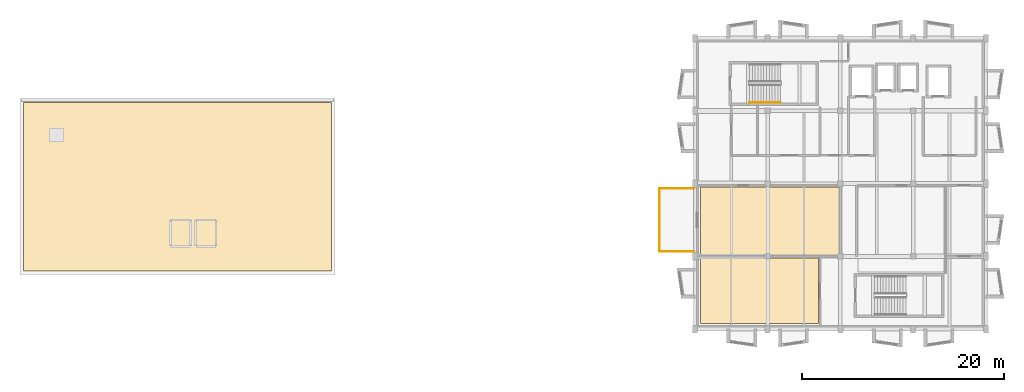
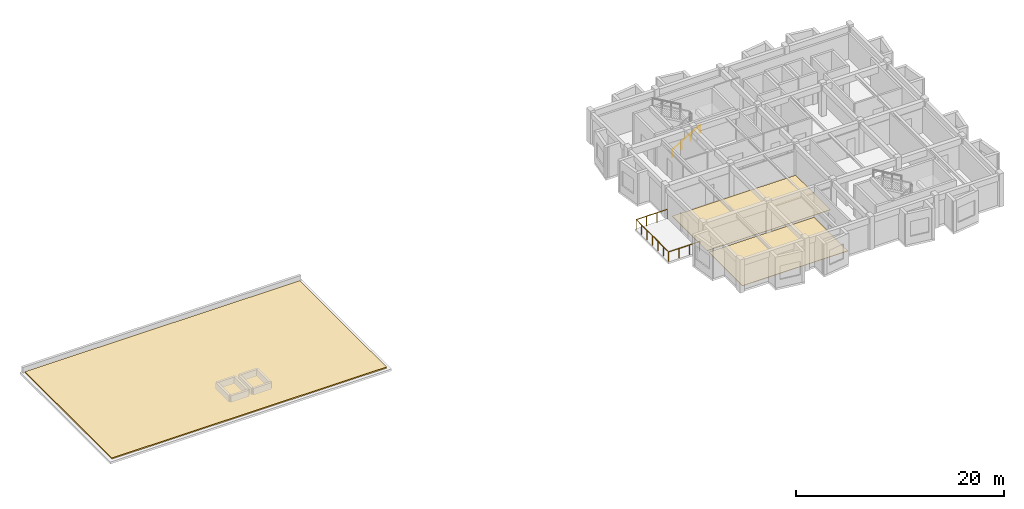
# One storey, part 6 of 7: 4 railings, 3 coverings.
"""IFC4 building model written with IfcOpenShell, lengths in metres."""

from ifc_helpers import new_model, si_unit, direction, frame, origin, origin_2d, place, context, subcontext, project, spatial, polyline, circle, outline, extrude, material, layer, layer_set, type_object, element, save


model = new_model("IFC4")

# Units and contexts
model_context = context("Model", 3, precision=1e-05, world=origin(), true_north=direction((0.0, 1.0)))
body_context = subcontext(model_context, "Body", "Model", "MODEL_VIEW")
ifc_project = project(units=[si_unit("LENGTHUNIT", "METRE"), si_unit("AREAUNIT", "SQUARE_METRE"), si_unit("VOLUMEUNIT", "CUBIC_METRE"), si_unit("PLANEANGLEUNIT", "RADIAN"), si_unit("MASSUNIT", "GRAM", prefix="KILO")], contexts=[model_context])

# Site, building, storey
site_placement = place(None, origin())
site = spatial("IfcSite", under=ifc_project, at=site_placement, CompositionType="ELEMENT")
building_placement = place(site_placement, origin())
building = spatial("IfcBuilding", under=site, at=building_placement, Name="Bramveld Media Centre", CompositionType="ELEMENT")
storey_placement = place(building_placement, frame((0.0, 0.0, 25.800048828125)))
storey = spatial("IfcBuildingStorey", under=building, at=storey_placement, Name="L06", CompositionType="ELEMENT", Elevation=25.800048828125)

# Coverings
ifc_material_1 = material(Name="Honed Belgian bluestone (petit granit) public concourse flooring", Category="masonry")
ifc_layer_1 = layer(ifc_material_1, 0.050048828125)
ifc_layer_set_1 = layer_set([ifc_layer_1], Name="Honed Belgian bluestone (petit granit) public concourse flooring")
covering_type_1 = type_object("IfcCoveringType", Name="COV-FLOOR-02", PredefinedType="FLOORING", material=ifc_layer_set_1)
covering_1_placement = place(storey_placement, origin())
element("IfcCovering", 1, at=covering_1_placement, inside=storey, type_object=covering_type_1, Name="Broadcast Archives Digitisation Lab finish flooring", PredefinedType="FLOORING", context=body_context, shape_type="SweptSolid", body=[
    extrude(outline(polyline([(131.75, 83.75), (143.449951171875, 83.75), (143.449951171875, 90.25), (131.75, 90.25), (131.75, 83.75)])), origin(), (0.0, 0.0, 1.0), 0.050048828125),
])
ifc_material_2 = material(Name="Anti-static acoustic linoleum editing & vault flooring")
ifc_layer_2 = layer(ifc_material_2, 0.0400390625)
ifc_layer_set_2 = layer_set([ifc_layer_2], Name="Anti-static acoustic linoleum editing & vault flooring")
covering_type_2 = type_object("IfcCoveringType", Name="COV-FLOOR-03", PredefinedType="FLOORING", material=ifc_layer_set_2)
covering_2_placement = place(storey_placement, origin())
element("IfcCovering", 2, at=covering_2_placement, inside=storey, type_object=covering_type_2, Name="Courtyard Balcony Broadcast Studio finish flooring", PredefinedType="FLOORING", context=body_context, shape_type="SweptSolid", body=[
    extrude(outline(polyline([(131.75, 90.550048828125), (145.449951171875, 90.550048828125), (145.449951171875, 97.25), (131.75, 97.25), (131.75, 90.550048828125)])), origin(), (0.0, 0.0, 1.0), 0.0400390625),
])
ifc_material_3 = material(Name="Vegetated extensive green-roof substrate and EPDM membrane")
ifc_layer_3 = layer(ifc_material_3, 0.139892578125)
ifc_layer_set_3 = layer_set([ifc_layer_3], Name="Vegetated extensive green-roof substrate and EPDM membrane")
covering_type_3 = type_object("IfcCoveringType", Name="COV-ROOF-GREEN", PredefinedType="ROOFING", material=ifc_layer_set_3)
covering_3_placement = place(storey_placement, origin())
element("IfcCovering", 3, at=covering_3_placement, inside=storey, type_object=covering_type_3, Name="V6 L06 vegetated green roof covering", PredefinedType="ROOFING", context=body_context, shape_type="SweptSolid", body=[
    extrude(outline(polyline([(64.75, 88.949951171875), (95.25, 88.949951171875), (95.25, 105.64990234375), (64.75, 105.64990234375), (64.75, 88.949951171875)])), origin(), (0.0, 0.0, 1.0), 0.139892578125),
])

# Railings
ifc_material_4 = material(Name="Brushed stainless steel tubular stair handrail", Category="steel")
railing_type_1 = type_object("IfcRailingType", Name="RAIL-STAIR-HAND-0920", PredefinedType="HANDRAIL", material=ifc_material_4)
railing_1_placement = place(storey_placement, frame((136.60009765625, 105.64990234375, 0.162353515625)))
element("IfcRailing", 4, at=railing_1_placement, inside=storey, type_object=railing_type_1, Name="L06 ST-01 stair handrail 1", PredefinedType="HANDRAIL", context=body_context, shape_type="SweptSolid", body=[
    extrude(circle(Radius=0.02392578125, at=origin_2d()), frame((0.0, 0.0, 0.8759765625), z_axis=(0.864873446163, 0.0, 0.501989962173), x_axis=(0.0, 1.0, 0.0)), (0.0, 0.0, 1.0), 3.56103515625),
    extrude(circle(Radius=0.02099609375, at=origin_2d()), origin(), (0.0, 0.0, 1.0), 0.851806640625),
    extrude(circle(Radius=0.02099609375, at=origin_2d()), frame((1.026611328125, 0.0, 0.595947265625)), (0.0, 0.0, 1.0), 0.851806640625),
    extrude(circle(Radius=0.02099609375, at=origin_2d()), frame((2.05322265625, 0.0, 1.191650390625)), (0.0, 0.0, 1.0), 0.851806640625),
    extrude(circle(Radius=0.02099609375, at=origin_2d()), frame((3.079833984375, 0.0, 1.78759765625)), (0.0, 0.0, 1.0), 0.851806640625),
])
ifc_material_5 = material(Name="Powder-coated bronze galvanized steel balustrade", Category="steel")
railing_type_2 = type_object("IfcRailingType", Name="RAIL-TERRACE-1150", PredefinedType="GUARDRAIL", material=ifc_material_5)
railing_2_placement = place(storey_placement, frame((127.679931640625, 90.8798828125, 0.0)))
element("IfcRailing", 5, at=railing_2_placement, inside=storey, type_object=railing_type_2, Name="Courtyard Broadcast Balcony L06 S guardrail", PredefinedType="GUARDRAIL", context=body_context, shape_type="SweptSolid", body=[
    extrude(circle(Radius=0.02392578125, at=origin_2d()), frame((0.0, 0.0, 1.1259765625), z_axis=(1.0, 0.0, 0.0), x_axis=(0.0, 1.0, 0.0)), (0.0, 0.0, 1.0), 3.440185546875),
    extrude(circle(Radius=0.02099609375, at=origin_2d()), origin(), (0.0, 0.0, 1.0), 1.101806640625),
    extrude(circle(Radius=0.02099609375, at=origin_2d()), frame((1.146728515625, 0.0, 0.0)), (0.0, 0.0, 1.0), 1.101806640625),
    extrude(circle(Radius=0.02099609375, at=origin_2d()), frame((2.29345703125, 0.0, 0.0)), (0.0, 0.0, 1.0), 1.101806640625),
    extrude(circle(Radius=0.02099609375, at=origin_2d()), frame((3.440185546875, 0.0, 0.0)), (0.0, 0.0, 1.0), 1.101806640625),
])
railing_3_placement = place(storey_placement, frame((127.679931640625, 97.1201171875, 0.0)))
element("IfcRailing", 6, at=railing_3_placement, inside=storey, type_object=railing_type_2, Name="Courtyard Broadcast Balcony L06 W guardrail", PredefinedType="GUARDRAIL", context=body_context, shape_type="SweptSolid", body=[
    extrude(circle(Radius=0.02392578125, at=origin_2d()), frame((0.0, 0.0, 1.1259765625), z_axis=(0.0, -1.0, 0.0), x_axis=(1.0, 0.0, 0.0)), (0.0, 0.0, 1.0), 6.240234375),
    extrude(circle(Radius=0.02099609375, at=origin_2d()), origin(), (0.0, 0.0, 1.0), 1.101806640625),
    extrude(circle(Radius=0.02099609375, at=origin_2d()), frame((0.0, -1.0400390625, 0.0)), (0.0, 0.0, 1.0), 1.101806640625),
    extrude(circle(Radius=0.02099609375, at=origin_2d()), frame((0.0, -2.080078125, 0.0)), (0.0, 0.0, 1.0), 1.101806640625),
    extrude(circle(Radius=0.02099609375, at=origin_2d()), frame((0.0, -3.1201171875, 0.0)), (0.0, 0.0, 1.0), 1.101806640625),
    extrude(circle(Radius=0.02099609375, at=origin_2d()), frame((0.0, -4.16015625, 0.0)), (0.0, 0.0, 1.0), 1.101806640625),
    extrude(circle(Radius=0.02099609375, at=origin_2d()), frame((0.0, -5.2001953125, 0.0)), (0.0, 0.0, 1.0), 1.101806640625),
    extrude(circle(Radius=0.02099609375, at=origin_2d()), frame((0.0, -6.240234375, 0.0)), (0.0, 0.0, 1.0), 1.101806640625),
])
railing_4_placement = place(storey_placement, frame((131.1201171875, 97.1201171875, 0.0)))
element("IfcRailing", 7, at=railing_4_placement, inside=storey, type_object=railing_type_2, Name="Courtyard Broadcast Balcony L06 N guardrail", PredefinedType="GUARDRAIL", context=body_context, shape_type="SweptSolid", body=[
    extrude(circle(Radius=0.02392578125, at=origin_2d()), frame((0.0, 0.0, 1.1259765625), z_axis=(-1.0, 0.0, 0.0), x_axis=(0.0, -1.0, 0.0)), (0.0, 0.0, 1.0), 3.440185546875),
    extrude(circle(Radius=0.02099609375, at=origin_2d()), origin(), (0.0, 0.0, 1.0), 1.101806640625),
    extrude(circle(Radius=0.02099609375, at=origin_2d()), frame((-1.146728515625, 0.0, 0.0)), (0.0, 0.0, 1.0), 1.101806640625),
    extrude(circle(Radius=0.02099609375, at=origin_2d()), frame((-2.29345703125, 0.0, 0.0)), (0.0, 0.0, 1.0), 1.101806640625),
    extrude(circle(Radius=0.02099609375, at=origin_2d()), frame((-3.440185546875, 0.0, 0.0)), (0.0, 0.0, 1.0), 1.101806640625),
])

save(model, "model.ifc")
